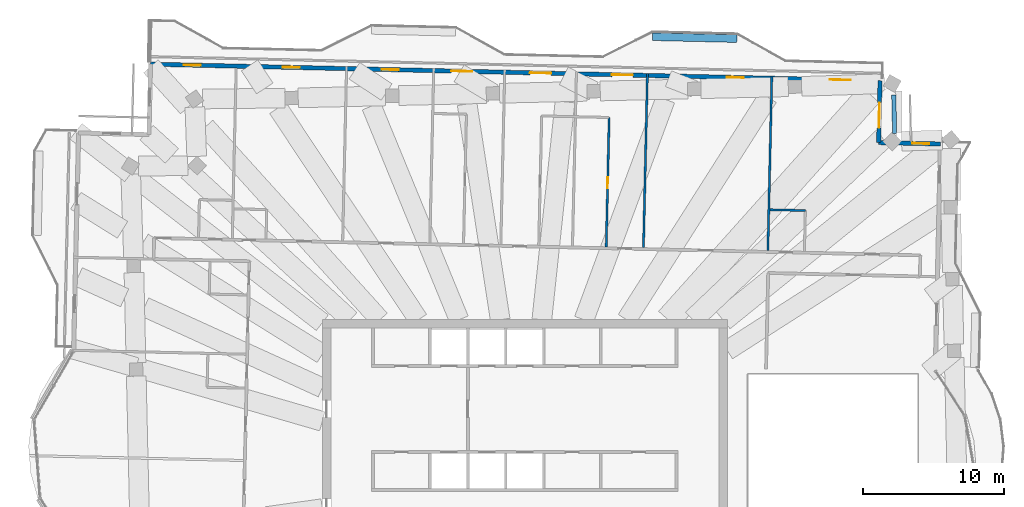
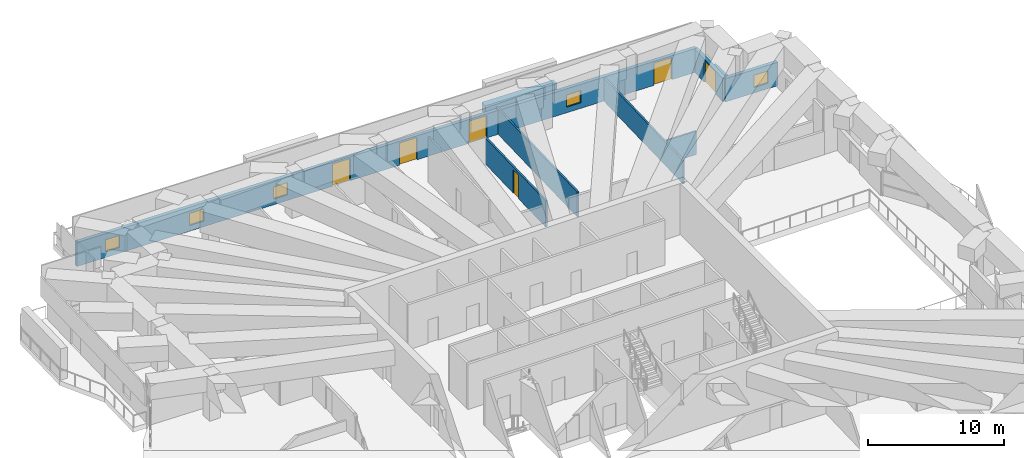
# One storey, part 14 of 20: 9 walls, 6 doors, 5 windows, 11 openings.
"""IFC4 building model written with IfcOpenShell, lengths in metres."""

from ifc_helpers import new_model, si_unit, direction, frame, frame_2d, origin, place, context, subcontext, project, spatial, rectangle, extrude, material, layer, layer_set, type_object, element, fill, save


model = new_model("IFC4")

# Units and contexts
model_context = context("Model", 3, precision=1e-05, world=origin(), true_north=direction((0.0, 1.0)))
body_context = subcontext(model_context, "Body", "Model", "MODEL_VIEW")
ifc_project = project(units=[si_unit("LENGTHUNIT", "METRE"), si_unit("AREAUNIT", "SQUARE_METRE"), si_unit("VOLUMEUNIT", "CUBIC_METRE"), si_unit("PLANEANGLEUNIT", "RADIAN"), si_unit("MASSUNIT", "GRAM", prefix="KILO")], contexts=[model_context])

# Site, building, storey
site_placement = place(None, origin())
site = spatial("IfcSite", under=ifc_project, at=site_placement, CompositionType="ELEMENT")
building_placement = place(site_placement, origin())
building = spatial("IfcBuilding", under=site, at=building_placement, Name="Mangrove Gate Tower", CompositionType="ELEMENT")
storey_placement = place(building_placement, frame((0.0, 0.0, 301.5)))
storey = spatial("IfcBuildingStorey", under=building, at=storey_placement, Name="L77", CompositionType="ELEMENT", Elevation=301.5)

# Wall, opening, window
ifc_material_1 = material(Name="Limestone", Category="masonry")
ifc_layer_1 = layer(ifc_material_1, 0.0400390625, Name="Limestone cladding")
ifc_material_2 = material(Name="Ventilated air gap")
ifc_layer_2 = layer(ifc_material_2, 0.0400390625, Name="Ventilated cavity")
ifc_material_3 = material(Name="Mineral wool insulation")
ifc_layer_3 = layer(ifc_material_3, 0.06005859375, Name="Insulation")
ifc_material_4 = material(Name="Breather membrane")
ifc_layer_4 = layer(ifc_material_4, 0.001953125, Name="Breather membrane")
ifc_material_5 = material(Name="Concrete C20/25 blockwork", Category="masonry")
ifc_layer_5 = layer(ifc_material_5, 0.14990234375, Name="Blockwork backing wall")
ifc_material_6 = material(Name="Gypsum plaster")
ifc_layer_6 = layer(ifc_material_6, 0.008056640625, Name="Internal plaster")
ifc_layer_set_1 = layer_set([ifc_layer_1, ifc_layer_2, ifc_layer_3, ifc_layer_4, ifc_layer_5, ifc_layer_6], Name="External wall 300 limestone cladding")
wall_type_1 = type_object("IfcWallType", Name="External wall 300 limestone cladding", PredefinedType="SOLIDWALL", material=ifc_layer_set_1)
wall_1_placement = place(storey_placement, frame((29.56298828125, 23.89892578125, 0.0), z_axis=(0.0, 0.0, 1.0), x_axis=(-0.999741204967, 0.022749133868, 0.0)))
wall_1 = element("IfcWall", 1, at=wall_1_placement, inside=storey, type_object=wall_type_1, Name="WALL-L77-N3", PredefinedType="SOLIDWALL", context=body_context, shape_type="SweptSolid", body=[
    extrude(rectangle(XDim=4.400146484375, YDim=0.300048828125, at=frame_2d((2.2001953125, 0.0))), origin(), (0.0, 0.0, 1.0), 2.10009765625),
])
opening_1_placement = place(wall_1_placement, frame((0.80810546875, 0.0, 0.5)))
opening_1 = element("IfcOpeningElement", 2, at=opening_1_placement, cuts=wall_1, Name="Opening W6", PredefinedType="OPENING", context=body_context, shape_type="SweptSolid", body=[
    extrude(rectangle(XDim=1.199951171875, YDim=1.10009765625, at=frame_2d((0.60009765625, 0.550048828125))), frame((0.0, 0.159912109375, 0.0), z_axis=(0.0, -1.0, 0.0), x_axis=(1.0, 0.0, 0.0)), (0.0, 0.0, 1.0), 0.320068359375),
])
ifc_material_7 = material(Name="Aluminium frame with double-glazed low-e glass", Category="aluminium")
window_type = type_object("IfcWindowType", Name="Low window 1200x1100", PartitioningType="SINGLE_PANEL", PredefinedType="WINDOW", material=ifc_material_7)
window_1_placement = place(opening_1_placement, origin())
window_1 = element("IfcWindow", 3, at=window_1_placement, inside=storey, type_object=window_type, Name="WIN-L77-N3-1", OverallHeight=1.10009765625, OverallWidth=1.199951171875, PartitioningType="SINGLE_PANEL", PredefinedType="WINDOW", context=body_context, shape_type="SweptSolid", body=[
    extrude(rectangle(XDim=1.199951171875, YDim=1.10009765625, at=frame_2d((0.60009765625, 0.550048828125))), frame((0.0, 0.030029296875, 0.0), z_axis=(0.0, -1.0, 0.0), x_axis=(1.0, 0.0, 0.0)), (0.0, 0.0, 1.0), 0.06005859375),
])
fill(opening_1, window_1)

# Wall, opening, door
wall_2_placement = place(storey_placement, frame((25.1640625, 23.9990234375, 0.0), z_axis=(0.0, 0.0, 1.0), x_axis=(0.02269871331, 0.999742351016, 0.0)))
wall_2 = element("IfcWall", 4, at=wall_2_placement, inside=storey, type_object=wall_type_1, Name="WALL-L77-E4", PredefinedType="SOLIDWALL", context=body_context, shape_type="SweptSolid", body=[
    extrude(rectangle(XDim=4.399169921875, YDim=0.300048828125, at=frame_2d((2.19970703125, 0.0))), origin(), (0.0, 0.0, 1.0), 2.10009765625),
])
opening_2_placement = place(wall_2_placement, frame((1.050048828125, 0.0, 0.0)))
opening_2 = element("IfcOpeningElement", 5, at=opening_2_placement, cuts=wall_2, Name="Opening TD2", PredefinedType="OPENING", context=body_context, shape_type="SweptSolid", body=[
    extrude(rectangle(XDim=1.800048828125, YDim=2.0, at=frame_2d((0.89990234375, 1.0))), frame((0.0, 0.159912109375, 0.0), z_axis=(0.0, -1.0, 0.0), x_axis=(1.0, 0.0, 0.0)), (0.0, 0.0, 1.0), 0.320068359375),
])
ifc_material_8 = material(Name="Aluminium frame with laminated clear glass", Category="aluminium")
door_type_1 = type_object("IfcDoorType", Name="Terrace door 1800x2000", OperationType="DOUBLE_DOOR_SINGLE_SWING", PredefinedType="DOOR", material=ifc_material_8)
door_1_placement = place(opening_2_placement, origin())
door_1 = element("IfcDoor", 6, at=door_1_placement, inside=storey, type_object=door_type_1, Name="DOOR-L77-E4-1", OperationType="DOUBLE_DOOR_SINGLE_SWING", OverallHeight=2.0, OverallWidth=1.800048828125, PredefinedType="DOOR", context=body_context, shape_type="SweptSolid", body=[
    extrude(rectangle(XDim=1.800048828125, YDim=2.0, at=frame_2d((0.89990234375, 1.0))), frame((0.0, 0.02490234375, 0.0), z_axis=(0.0, -1.0, 0.0), x_axis=(1.0, 0.0, 0.0)), (0.0, 0.0, 1.0), 0.050048828125),
])
fill(opening_2, door_1)

# Wall, openings, doors, windows
wall_3_placement = place(storey_placement, frame((25.263916015625, 28.39697265625, 0.0), z_axis=(0.0, 0.0, 1.0), x_axis=(-0.999742391375, 0.022696935658, 0.0)))
wall_3 = element("IfcWall", 7, at=wall_3_placement, inside=storey, type_object=wall_type_1, Name="WALL-L77-N5", PredefinedType="SOLIDWALL", context=body_context, shape_type="SweptSolid", body=[
    extrude(rectangle(XDim=51.900390625, YDim=0.300048828125, at=frame_2d((25.9501953125, 0.0))), origin(), (0.0, 0.0, 1.0), 2.14990234375),
])
opening_3_placement = place(wall_3_placement, frame((2.072021484375, 0.0, 0.0)))
opening_3 = element("IfcOpeningElement", 8, at=opening_3_placement, cuts=wall_3, Name="Opening BD3", PredefinedType="OPENING", context=body_context, shape_type="SweptSolid", body=[
    extrude(rectangle(XDim=1.5, YDim=2.0, at=frame_2d((0.75, 1.0))), frame((0.0, 0.159912109375, 0.0), z_axis=(0.0, -1.0, 0.0), x_axis=(1.0, 0.0, 0.0)), (0.0, 0.0, 1.0), 0.320068359375),
])
opening_4_placement = place(wall_3_placement, frame((9.698974609375, 0.0, 0.5)))
opening_4 = element("IfcOpeningElement", 9, at=opening_4_placement, cuts=wall_3, Name="Opening W6", PredefinedType="OPENING", context=body_context, shape_type="SweptSolid", body=[
    extrude(rectangle(XDim=1.199951171875, YDim=1.10009765625, at=frame_2d((0.60009765625, 0.550048828125))), frame((0.0, 0.159912109375, 0.0), z_axis=(0.0, -1.0, 0.0), x_axis=(1.0, 0.0, 0.0)), (0.0, 0.0, 1.0), 0.320068359375),
])
opening_5_placement = place(wall_3_placement, frame((17.576904296875, 0.0, 0.0)))
opening_5 = element("IfcOpeningElement", 10, at=opening_5_placement, cuts=wall_3, Name="Opening BD3", PredefinedType="OPENING", context=body_context, shape_type="SweptSolid", body=[
    extrude(rectangle(XDim=1.5, YDim=2.0, at=frame_2d((0.75, 1.0))), frame((0.0, 0.159912109375, 0.0), z_axis=(0.0, -1.0, 0.0), x_axis=(1.0, 0.0, 0.0)), (0.0, 0.0, 1.0), 0.320068359375),
])
opening_6_placement = place(wall_3_placement, frame((23.39990234375, 0.0, 0.0)))
opening_6 = element("IfcOpeningElement", 11, at=opening_6_placement, cuts=wall_3, Name="Opening BD3", PredefinedType="OPENING", context=body_context, shape_type="SweptSolid", body=[
    extrude(rectangle(XDim=1.5, YDim=2.0, at=frame_2d((0.75, 1.0))), frame((0.0, 0.159912109375, 0.0), z_axis=(0.0, -1.0, 0.0), x_axis=(1.0, 0.0, 0.0)), (0.0, 0.0, 1.0), 0.320068359375),
])
opening_7_placement = place(wall_3_placement, frame((29.0, 0.0, 0.0)))
opening_7 = element("IfcOpeningElement", 12, at=opening_7_placement, cuts=wall_3, Name="Opening BD3", PredefinedType="OPENING", context=body_context, shape_type="SweptSolid", body=[
    extrude(rectangle(XDim=1.5, YDim=2.0, at=frame_2d((0.75, 1.0))), frame((0.0, 0.159912109375, 0.0), z_axis=(0.0, -1.0, 0.0), x_axis=(1.0, 0.0, 0.0)), (0.0, 0.0, 1.0), 0.320068359375),
])
opening_8_placement = place(wall_3_placement, frame((34.25, 0.0, 0.5)))
opening_8 = element("IfcOpeningElement", 13, at=opening_8_placement, cuts=wall_3, Name="Opening W6", PredefinedType="OPENING", context=body_context, shape_type="SweptSolid", body=[
    extrude(rectangle(XDim=1.199951171875, YDim=1.10009765625, at=frame_2d((0.60009765625, 0.550048828125))), frame((0.0, 0.159912109375, 0.0), z_axis=(0.0, -1.0, 0.0), x_axis=(1.0, 0.0, 0.0)), (0.0, 0.0, 1.0), 0.320068359375),
])
opening_9_placement = place(wall_3_placement, frame((41.27490234375, 0.0, 0.5)))
opening_9 = element("IfcOpeningElement", 14, at=opening_9_placement, cuts=wall_3, Name="Opening W6", PredefinedType="OPENING", context=body_context, shape_type="SweptSolid", body=[
    extrude(rectangle(XDim=1.199951171875, YDim=1.10009765625, at=frame_2d((0.60009765625, 0.550048828125))), frame((0.0, 0.159912109375, 0.0), z_axis=(0.0, -1.0, 0.0), x_axis=(1.0, 0.0, 0.0)), (0.0, 0.0, 1.0), 0.320068359375),
])
opening_10_placement = place(wall_3_placement, frame((48.324951171875, 0.0, 0.5)))
opening_10 = element("IfcOpeningElement", 15, at=opening_10_placement, cuts=wall_3, Name="Opening W6", PredefinedType="OPENING", context=body_context, shape_type="SweptSolid", body=[
    extrude(rectangle(XDim=1.199951171875, YDim=1.10009765625, at=frame_2d((0.60009765625, 0.550048828125))), frame((0.0, 0.159912109375, 0.0), z_axis=(0.0, -1.0, 0.0), x_axis=(1.0, 0.0, 0.0)), (0.0, 0.0, 1.0), 0.320068359375),
])
ifc_material_9 = material(Name="Aluminium frame with laminated clear glass", Category="aluminium")
door_type_2 = type_object("IfcDoorType", Name="Balcony sliding door 1500x2000", OperationType="SLIDING_TO_LEFT", PredefinedType="DOOR", material=ifc_material_9)
door_2_placement = place(opening_3_placement, origin())
door_2 = element("IfcDoor", 16, at=door_2_placement, inside=storey, type_object=door_type_2, Name="DOOR-L77-N5-1", OperationType="SLIDING_TO_LEFT", OverallHeight=2.0, OverallWidth=1.5, PredefinedType="DOOR", context=body_context, shape_type="SweptSolid", body=[
    extrude(rectangle(XDim=1.5, YDim=2.0, at=frame_2d((0.75, 1.0))), frame((0.0, 0.02490234375, 0.0), z_axis=(0.0, -1.0, 0.0), x_axis=(1.0, 0.0, 0.0)), (0.0, 0.0, 1.0), 0.050048828125),
])
fill(opening_3, door_2)
door_3_placement = place(opening_5_placement, origin())
door_3 = element("IfcDoor", 17, at=door_3_placement, inside=storey, type_object=door_type_2, Name="DOOR-L77-N5-3", OperationType="SLIDING_TO_LEFT", OverallHeight=2.0, OverallWidth=1.5, PredefinedType="DOOR", context=body_context, shape_type="SweptSolid", body=[
    extrude(rectangle(XDim=1.5, YDim=2.0, at=frame_2d((0.75, 1.0))), frame((0.0, 0.02490234375, 0.0), z_axis=(0.0, -1.0, 0.0), x_axis=(1.0, 0.0, 0.0)), (0.0, 0.0, 1.0), 0.050048828125),
])
fill(opening_5, door_3)
door_4_placement = place(opening_6_placement, origin())
door_4 = element("IfcDoor", 18, at=door_4_placement, inside=storey, type_object=door_type_2, Name="DOOR-L77-N5-4", OperationType="SLIDING_TO_LEFT", OverallHeight=2.0, OverallWidth=1.5, PredefinedType="DOOR", context=body_context, shape_type="SweptSolid", body=[
    extrude(rectangle(XDim=1.5, YDim=2.0, at=frame_2d((0.75, 1.0))), frame((0.0, 0.02490234375, 0.0), z_axis=(0.0, -1.0, 0.0), x_axis=(1.0, 0.0, 0.0)), (0.0, 0.0, 1.0), 0.050048828125),
])
fill(opening_6, door_4)
door_5_placement = place(opening_7_placement, origin())
door_5 = element("IfcDoor", 19, at=door_5_placement, inside=storey, type_object=door_type_2, Name="DOOR-L77-N5-5", OperationType="SLIDING_TO_LEFT", OverallHeight=2.0, OverallWidth=1.5, PredefinedType="DOOR", context=body_context, shape_type="SweptSolid", body=[
    extrude(rectangle(XDim=1.5, YDim=2.0, at=frame_2d((0.75, 1.0))), frame((0.0, 0.02490234375, 0.0), z_axis=(0.0, -1.0, 0.0), x_axis=(1.0, 0.0, 0.0)), (0.0, 0.0, 1.0), 0.050048828125),
])
fill(opening_7, door_5)
window_2_placement = place(opening_4_placement, origin())
window_2 = element("IfcWindow", 20, at=window_2_placement, inside=storey, type_object=window_type, Name="WIN-L77-N5-2", OverallHeight=1.10009765625, OverallWidth=1.199951171875, PartitioningType="SINGLE_PANEL", PredefinedType="WINDOW", context=body_context, shape_type="SweptSolid", body=[
    extrude(rectangle(XDim=1.199951171875, YDim=1.10009765625, at=frame_2d((0.60009765625, 0.550048828125))), frame((0.0, 0.030029296875, 0.0), z_axis=(0.0, -1.0, 0.0), x_axis=(1.0, 0.0, 0.0)), (0.0, 0.0, 1.0), 0.06005859375),
])
fill(opening_4, window_2)
window_3_placement = place(opening_8_placement, origin())
window_3 = element("IfcWindow", 21, at=window_3_placement, inside=storey, type_object=window_type, Name="WIN-L77-N5-6", OverallHeight=1.10009765625, OverallWidth=1.199951171875, PartitioningType="SINGLE_PANEL", PredefinedType="WINDOW", context=body_context, shape_type="SweptSolid", body=[
    extrude(rectangle(XDim=1.199951171875, YDim=1.10009765625, at=frame_2d((0.60009765625, 0.550048828125))), frame((0.0, 0.030029296875, 0.0), z_axis=(0.0, -1.0, 0.0), x_axis=(1.0, 0.0, 0.0)), (0.0, 0.0, 1.0), 0.06005859375),
])
fill(opening_8, window_3)
window_4_placement = place(opening_9_placement, origin())
window_4 = element("IfcWindow", 22, at=window_4_placement, inside=storey, type_object=window_type, Name="WIN-L77-N5-7", OverallHeight=1.10009765625, OverallWidth=1.199951171875, PartitioningType="SINGLE_PANEL", PredefinedType="WINDOW", context=body_context, shape_type="SweptSolid", body=[
    extrude(rectangle(XDim=1.199951171875, YDim=1.10009765625, at=frame_2d((0.60009765625, 0.550048828125))), frame((0.0, 0.030029296875, 0.0), z_axis=(0.0, -1.0, 0.0), x_axis=(1.0, 0.0, 0.0)), (0.0, 0.0, 1.0), 0.06005859375),
])
fill(opening_9, window_4)
window_5_placement = place(opening_10_placement, origin())
window_5 = element("IfcWindow", 23, at=window_5_placement, inside=storey, type_object=window_type, Name="WIN-L77-N5-8", OverallHeight=1.10009765625, OverallWidth=1.199951171875, PartitioningType="SINGLE_PANEL", PredefinedType="WINDOW", context=body_context, shape_type="SweptSolid", body=[
    extrude(rectangle(XDim=1.199951171875, YDim=1.10009765625, at=frame_2d((0.60009765625, 0.550048828125))), frame((0.0, 0.030029296875, 0.0), z_axis=(0.0, -1.0, 0.0), x_axis=(1.0, 0.0, 0.0)), (0.0, 0.0, 1.0), 0.06005859375),
])
fill(opening_10, window_5)

# Wall
ifc_layer_7 = layer(ifc_material_1, 0.0400390625, Name="Limestone cladding")
ifc_layer_8 = layer(ifc_material_2, 0.030029296875, Name="Ventilated cavity")
ifc_layer_9 = layer(ifc_material_3, 0.050048828125, Name="Insulation")
ifc_material_10 = material(Name="Concrete C32/40", Category="concrete")
ifc_layer_10 = layer(ifc_material_10, 0.179931640625, Name="Parapet core wall")
ifc_layer_set_2 = layer_set([ifc_layer_7, ifc_layer_8, ifc_layer_9, ifc_layer_10], Name="Parapet 300 limestone")
wall_type_2 = type_object("IfcWallType", Name="Parapet 300 limestone", PredefinedType="PARAPET", material=ifc_layer_set_2)
wall_4_placement = place(storey_placement, frame((26.240966796875, 27.381103515625, 0.0), z_axis=(0.0, 0.0, 1.0), x_axis=(0.022608180041, -0.999744402433, 0.0)))
element("IfcWall", 24, at=wall_4_placement, inside=storey, type_object=wall_type_2, Name="PARAPET L77 T4.1.1", PredefinedType="PARAPET", context=body_context, shape_type="SweptSolid", body=[
    extrude(rectangle(XDim=2.742919921875, YDim=0.300048828125, at=frame_2d((1.37158203125, 0.0))), origin(), (0.0, 0.0, 1.0), 0.89990234375),
])

# Wall, opening, door
ifc_material_11 = material(Name="Gypsum board on steel stud, EI 60", Category="steel")
ifc_layer_11 = layer(ifc_material_11, 0.14990234375)
ifc_layer_set_3 = layer_set([ifc_layer_11], Name="Party wall 150 EI 60")
wall_type_3 = type_object("IfcWallType", Name="Party wall 150 EI 60", PredefinedType="PARTITIONING", material=ifc_layer_set_3)
wall_5_placement = place(storey_placement, frame((5.791015625, 16.5859375, 0.0), z_axis=(0.0, 0.0, 1.0), x_axis=(0.022608685365, 0.999744391005, 0.0)))
wall_5 = element("IfcWall", 25, at=wall_5_placement, inside=storey, type_object=wall_type_3, Name="WALL-L77-058", PredefinedType="PARTITIONING", context=body_context, shape_type="SweptSolid", body=[
    extrude(rectangle(XDim=9.200439453125, YDim=0.14990234375, at=frame_2d((4.60009765625, 0.0))), origin(), (0.0, 0.0, 1.0), 2.35009765625),
])
opening_11_placement = place(wall_5_placement, frame((4.14990234375, 0.0, 0.0)))
opening_11 = element("IfcOpeningElement", 26, at=opening_11_placement, cuts=wall_5, Name="Opening ED", PredefinedType="OPENING", context=body_context, shape_type="SweptSolid", body=[
    extrude(rectangle(XDim=0.800048828125, YDim=2.10009765625, at=frame_2d((0.39990234375, 1.050048828125))), frame((0.0, 0.0849609375, 0.0), z_axis=(0.0, -1.0, 0.0), x_axis=(1.0, 0.0, 0.0)), (0.0, 0.0, 1.0), 0.169921875),
])
ifc_material_12 = material(Name="Timber door leaf", Category="wood")
door_type_3 = type_object("IfcDoorType", Name="En-suite door 800", OperationType="SINGLE_SWING_LEFT", PredefinedType="DOOR", material=ifc_material_12)
door_6_placement = place(opening_11_placement, origin())
door_6 = element("IfcDoor", 27, at=door_6_placement, inside=storey, type_object=door_type_3, Name="DOOR-L77-ENS-c304", OperationType="SINGLE_SWING_RIGHT", OverallHeight=2.10009765625, OverallWidth=0.800048828125, PredefinedType="DOOR", context=body_context, shape_type="SweptSolid", body=[
    extrude(rectangle(XDim=0.800048828125, YDim=2.10009765625, at=frame_2d((0.39990234375, 1.050048828125))), frame((0.0, 0.02490234375, 0.0), z_axis=(0.0, -1.0, 0.0), x_axis=(1.0, 0.0, 0.0)), (0.0, 0.0, 1.0), 0.050048828125),
])
fill(opening_11, door_6)

# Walls
wall_6_placement = place(storey_placement, frame((8.43994140625, 16.52587890625, 0.0), z_axis=(0.0, 0.0, 1.0), x_axis=(0.022661029756, 0.999743205894, 0.0)))
element("IfcWall", 28, at=wall_6_placement, inside=storey, type_object=wall_type_3, Name="WALL-L77-059", PredefinedType="PARTITIONING", context=body_context, shape_type="SweptSolid", body=[
    extrude(rectangle(XDim=12.400390625, YDim=0.14990234375, at=frame_2d((6.2001953125, 0.0))), origin(), (0.0, 0.0, 1.0), 2.25),
])
wall_7_placement = place(storey_placement, frame((17.2880859375, 16.324951171875, 0.0), z_axis=(0.0, 0.0, 1.0), x_axis=(0.022661475803, 0.999743195783, 0.0)))
element("IfcWall", 29, at=wall_7_placement, inside=storey, type_object=wall_type_3, Name="WALL-L77-060", PredefinedType="PARTITIONING", context=body_context, shape_type="SweptSolid", body=[
    extrude(rectangle(XDim=12.400146484375, YDim=0.14990234375, at=frame_2d((6.2001953125, 0.0))), origin(), (0.0, 0.0, 1.0), 2.10009765625),
])
wall_8_placement = place(storey_placement, frame((17.428955078125, 19.222900390625, 0.0), z_axis=(0.0, 0.0, 1.0), x_axis=(0.9997461113, -0.022532486354, 0.0)))
element("IfcWall", 30, at=wall_8_placement, inside=storey, type_object=wall_type_3, Name="WALL-L77-064", PredefinedType="PARTITIONING", context=body_context, shape_type="SweptSolid", body=[
    extrude(rectangle(XDim=2.524658203125, YDim=0.14990234375, at=frame_2d((1.26220703125, 0.0))), origin(), (0.0, 0.0, 1.0), 2.10009765625),
])
ifc_layer_12 = layer(ifc_material_10, 0.199951171875, Name="Planter trough wall")
ifc_material_13 = material(Name="Bituminous waterproofing membrane")
ifc_layer_13 = layer(ifc_material_13, 0.0048828125, Name="Waterproofing")
ifc_material_14 = material(Name="Drainage board and gravel")
ifc_layer_14 = layer(ifc_material_14, 0.044921875, Name="Drainage layer")
ifc_material_15 = material(Name="Planting soil")
ifc_layer_15 = layer(ifc_material_15, 0.300048828125, Name="Growing medium")
ifc_layer_set_4 = layer_set([ifc_layer_12, ifc_layer_13, ifc_layer_14, ifc_layer_15], Name="Planter wall 550 C32/40")
wall_type_4 = type_object("IfcWallType", Name="Planter wall 550 C32/40", PredefinedType="USERDEFINED", material=ifc_layer_set_4)
wall_9_placement = place(storey_placement, frame((9.0810546875, 31.530029296875, 0.0), z_axis=(0.0, 0.0, 1.0), x_axis=(0.999743094499, -0.022665943652, 0.0)))
element("IfcWall", 31, at=wall_9_placement, inside=storey, type_object=wall_type_4, Name="PLANTER L77 N0.1", ObjectType="PLANTER", PredefinedType="USERDEFINED", context=body_context, shape_type="SweptSolid", body=[
    extrude(rectangle(XDim=5.99951171875, YDim=0.550048828125, at=frame_2d((2.999755859375, 0.0))), origin(), (0.0, 0.0, 1.0), 0.800048828125),
])

save(model, "model.ifc")
